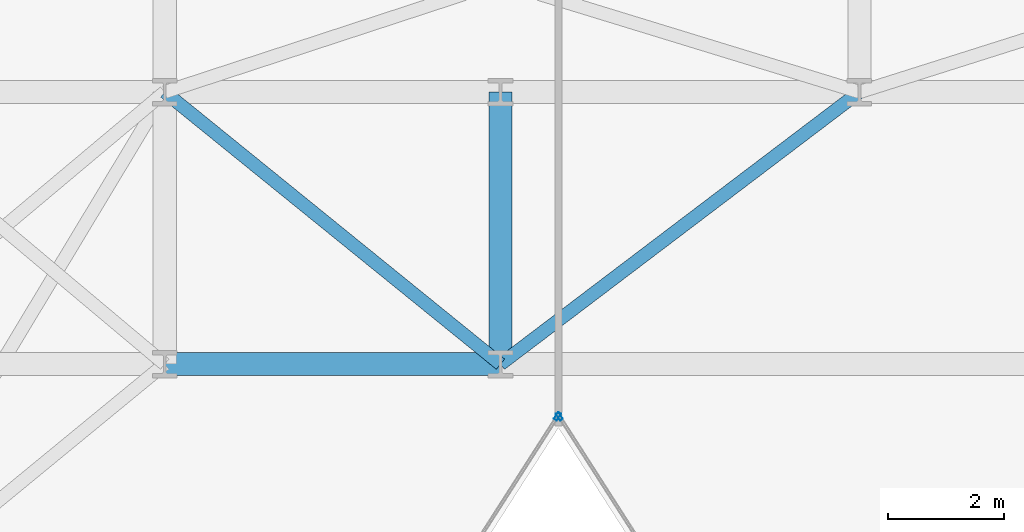
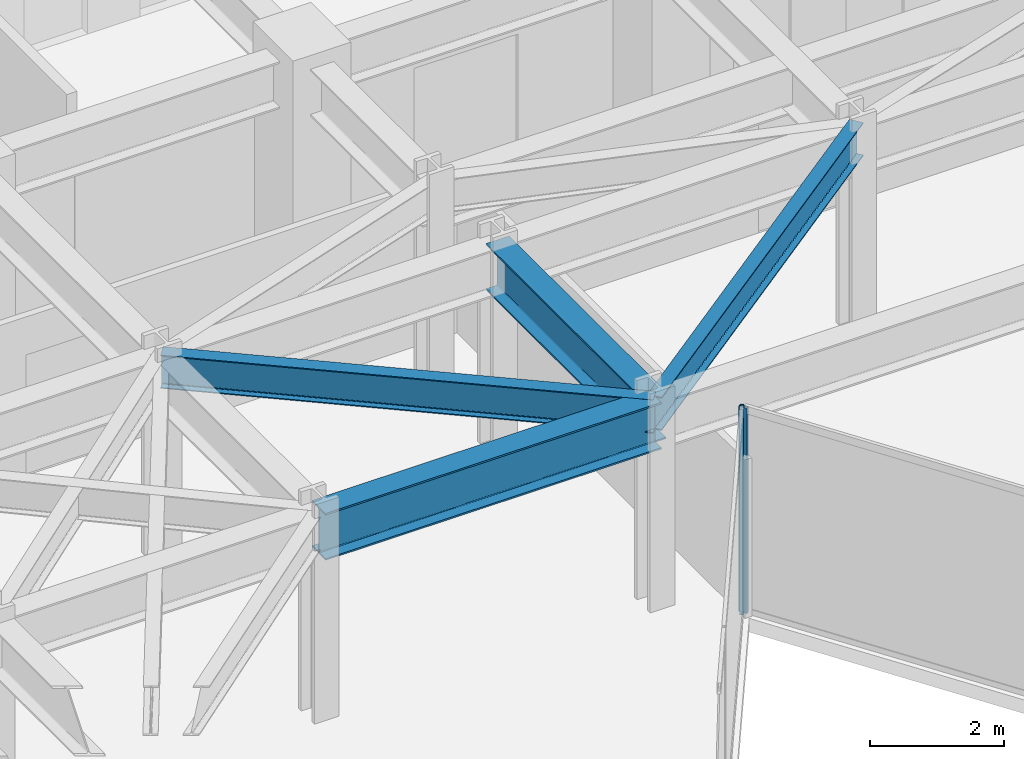
# One storey, part 13 of 26: 4 beams, 2 members, 2 elements without a shape of their own.
"""IFC4 building model written with IfcOpenShell, lengths in metres."""

from ifc_helpers import new_model, si_unit, direction, frame, origin, origin_2d, place, context, subcontext, project, spatial, hollow_rectangle, i_section, extrude, material, layer, layer_set, material_profile, profile_set, type_object, element, aggregate, save


model = new_model("IFC4")

# Units and contexts
model_context = context("Model", 3, precision=1e-05, world=origin(), true_north=direction((0.0, 1.0)))
body_context = subcontext(model_context, "Body", "Model", "MODEL_VIEW")
ifc_project = project(units=[si_unit("LENGTHUNIT", "METRE"), si_unit("AREAUNIT", "SQUARE_METRE"), si_unit("VOLUMEUNIT", "CUBIC_METRE"), si_unit("PLANEANGLEUNIT", "RADIAN"), si_unit("MASSUNIT", "GRAM", prefix="KILO")], contexts=[model_context])

# Site, building, storey
site_placement = place(None, origin())
site = spatial("IfcSite", under=ifc_project, at=site_placement, CompositionType="ELEMENT")
building_placement = place(site_placement, origin())
building = spatial("IfcBuilding", under=site, at=building_placement, Name="Kravanh Interchange Tower", CompositionType="ELEMENT")
storey_placement = place(building_placement, frame((0.0, 0.0, 124.0)))
storey = spatial("IfcBuildingStorey", under=building, at=storey_placement, Name="L29", CompositionType="ELEMENT", Elevation=124.0)

# Curtain wall, member
ifc_material_1 = material(Name="Anodised Bronze Aluminium", Category="aluminium")
ifc_layer = layer(ifc_material_1, 0.179931640625)
ifc_layer_set = layer_set([ifc_layer], Name="Unitised Curtain Wall System CW-Z2 Mid Office")
curtain_wall_type = type_object("IfcCurtainWallType", Name="Unitised Curtain Wall System CW-Z2 Mid Office", PredefinedType="NOTDEFINED", material=ifc_layer_set)
curtain_wall_1_placement = place(storey_placement, origin())
curtain_wall_1 = element("IfcCurtainWall", 1, at=curtain_wall_1_placement, inside=storey, type_object=curtain_wall_type, Name="L29 Unitised Curtain Wall CW-L29-04", PredefinedType="NOTDEFINED")
ifc_material_2 = material(Name="Anodised Bronze Aluminium", Category="aluminium")
ifc_material_profile_1 = material_profile(ifc_material_2, hollow_rectangle(XDim=0.06005859375, YDim=0.139892578125, WallThickness=0.00390625, at=origin_2d()), Name="ALU60X140X4")
ifc_profile_set_1 = profile_set([ifc_material_profile_1], Name="Anodised Bronze Aluminium")
member_type = type_object("IfcMemberType", Name="Curtain Wall Mullion ALU60X140X4 Bronze", PredefinedType="MULLION", material=ifc_profile_set_1)
member_1_placement = place(storey_placement, frame((39.6162109375, 25.897216796875, 0.0), z_axis=(0.0, 0.0, 1.0), x_axis=(-0.841879939476, -0.539664865919, 0.0)))
member_1 = element("IfcMember", 2, at=member_1_placement, type_object=member_type, Name="CW-Z2 mullion 5", PredefinedType="MULLION", context=body_context, shape_type="SweptSolid", body=[
    extrude(hollow_rectangle(XDim=0.06005859375, YDim=0.139892578125, WallThickness=0.00390625, at=origin_2d()), origin(), (0.0, 0.0, 1.0), 3.75),
])
aggregate(curtain_wall_1, [member_1])

curtain_wall_2_placement = place(storey_placement, origin())
curtain_wall_2 = element("IfcCurtainWall", 3, at=curtain_wall_2_placement, inside=storey, type_object=curtain_wall_type, Name="L29 Unitised Curtain Wall CW-L29-05", PredefinedType="NOTDEFINED")
member_2_placement = place(storey_placement, frame((39.583740234375, 25.897216796875, 0.0), z_axis=(0.0, 0.0, 1.0), x_axis=(0.841879939476, -0.539664865919, 0.0)))
member_2 = element("IfcMember", 4, at=member_2_placement, type_object=member_type, Name="CW-Z2 mullion 1", PredefinedType="MULLION", context=body_context, shape_type="SweptSolid", body=[
    extrude(hollow_rectangle(XDim=0.06005859375, YDim=0.139892578125, WallThickness=0.00390625, at=origin_2d()), origin(), (0.0, 0.0, 1.0), 3.75),
])
aggregate(curtain_wall_2, [member_2])

# Beams
ifc_material_3 = material(Name="Structural Steel S355", Category="steel")
ifc_material_profile_2 = material_profile(ifc_material_3, i_section(OverallWidth=0.39990234375, OverallDepth=0.85595703125, WebThickness=0.018310546875, FlangeThickness=0.029296875, FilletRadius=0.02490234375, at=origin_2d()), Name="W33X201")
ifc_profile_set_2 = profile_set([ifc_material_profile_2], Name="Structural Steel S355")
beam_type_1 = type_object("IfcBeamType", Name="Floor Beam W33X201 Structural Steel S355", PredefinedType="BEAM", material=ifc_profile_set_2)
beam_1_placement = place(storey_placement, frame((32.800048828125, 26.800048828125, 3.322021484375), z_axis=(1.0, 0.0, 0.0), x_axis=(0.0, 1.0, 0.0)))
element("IfcBeam", 5, at=beam_1_placement, inside=storey, type_object=beam_type_1, Name="L29 Primary Floor Girder 50", PredefinedType="BEAM", context=body_context, shape_type="SweptSolid", body=[
    extrude(i_section(OverallWidth=0.39990234375, OverallDepth=0.85595703125, WebThickness=0.018310546875, FlangeThickness=0.029296875, FilletRadius=0.02490234375, at=origin_2d()), origin(), (0.0, 0.0, 1.0), 5.800048828125),
])
beam_2_placement = place(storey_placement, frame((38.60009765625, 26.800048828125, 3.322021484375), z_axis=(0.0, 1.0, 0.0), x_axis=(-1.0, 0.0, 0.0)))
element("IfcBeam", 6, at=beam_2_placement, inside=storey, type_object=beam_type_1, Name="L29 Primary Floor Girder 53", PredefinedType="BEAM", context=body_context, shape_type="SweptSolid", body=[
    extrude(i_section(OverallWidth=0.39990234375, OverallDepth=0.85595703125, WebThickness=0.018310546875, FlangeThickness=0.029296875, FilletRadius=0.02490234375, at=origin_2d()), origin(), (0.0, 0.0, 1.0), 4.699951171875),
])
ifc_material_4 = material(Name="Structural Steel S355", Category="steel")
ifc_material_profile_3 = material_profile(ifc_material_4, i_section(OverallWidth=0.22802734375, OverallDepth=0.60791015625, WebThickness=0.01123046875, FlangeThickness=0.017333984375, FilletRadius=0.02197265625, at=origin_2d()), Name="W24X76")
ifc_profile_set_3 = profile_set([ifc_material_profile_3], Name="Structural Steel S355")
beam_type_2 = type_object("IfcBeamType", Name="Floor Spandrel W24X76 Structural Steel S355", PredefinedType="SPANDREL", material=ifc_profile_set_3)
beam_3_placement = place(storey_placement, frame((38.60009765625, 26.800048828125, 3.446044921875), z_axis=(-0.776938619557, 0.629576350764, 0.0), x_axis=(-0.629576350764, -0.776938619557, 0.0)))
element("IfcBeam", 7, at=beam_3_placement, inside=storey, type_object=beam_type_2, Name="L29 Perimeter Spandrel 54", PredefinedType="SPANDREL", context=body_context, shape_type="SweptSolid", body=[
    extrude(i_section(OverallWidth=0.22802734375, OverallDepth=0.60791015625, WebThickness=0.01123046875, FlangeThickness=0.017333984375, FilletRadius=0.02197265625, at=origin_2d()), origin(), (0.0, 0.0, 1.0), 7.46533203125),
])
beam_4_placement = place(storey_placement, frame((38.60009765625, 26.800048828125, 3.446044921875), z_axis=(0.796905365509, 0.604104161898, 0.0), x_axis=(-0.604104161898, 0.796905365509, 0.0)))
element("IfcBeam", 8, at=beam_4_placement, inside=storey, type_object=beam_type_2, Name="L29 Perimeter Spandrel 55", PredefinedType="SPANDREL", context=body_context, shape_type="SweptSolid", body=[
    extrude(i_section(OverallWidth=0.22802734375, OverallDepth=0.60791015625, WebThickness=0.01123046875, FlangeThickness=0.017333984375, FilletRadius=0.02197265625, at=origin_2d()), origin(), (0.0, 0.0, 1.0), 7.780029296875),
])

save(model, "model.ifc")
